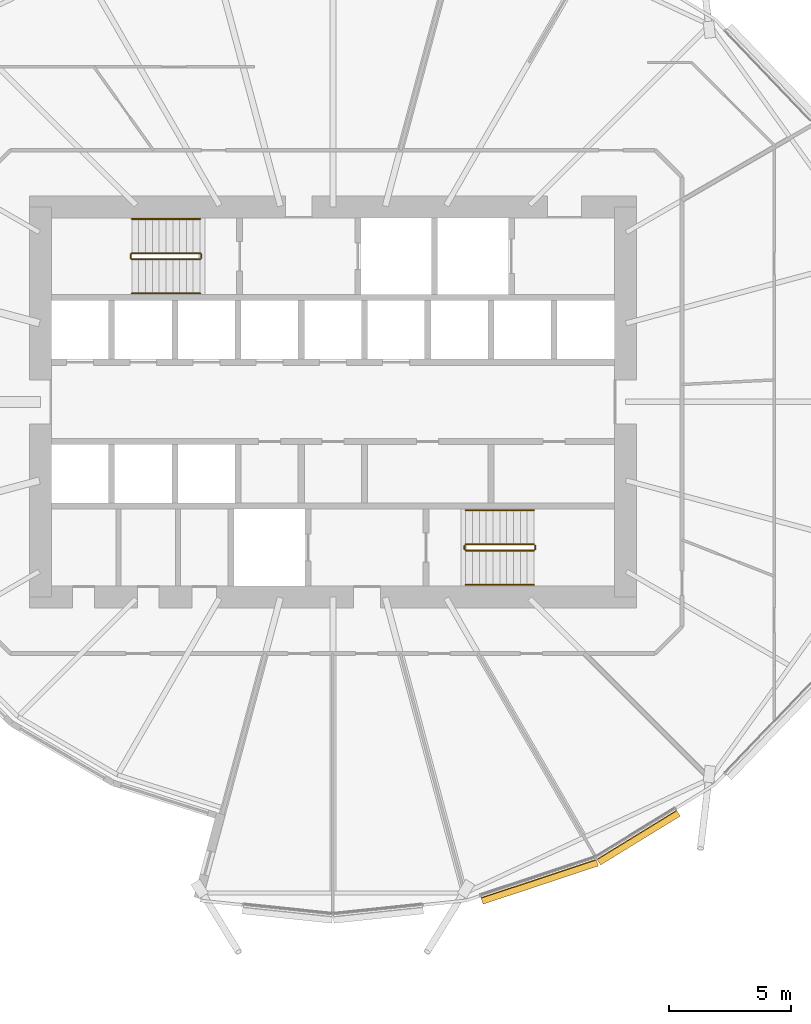
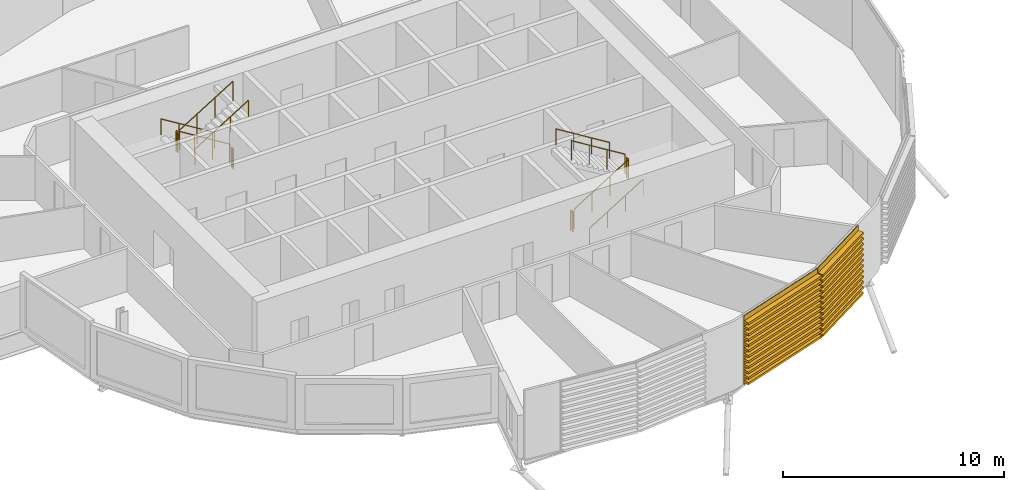
# One storey, part 34 of 38: 12 railings, 2 coverings.
"""IFC4 building model written with IfcOpenShell, lengths in metres."""

from ifc_helpers import new_model, si_unit, direction, frame, origin, origin_2d, place, context, subcontext, project, spatial, polyline, circle, outline, extrude, material, material_profile, profile_set, type_object, element, save


model = new_model("IFC4")

# Units and contexts
model_context = context("Model", 3, precision=1e-05, world=origin(), true_north=direction((0.0, 1.0)))
body_context = subcontext(model_context, "Body", "Model", "MODEL_VIEW")
ifc_project = project(units=[si_unit("LENGTHUNIT", "METRE"), si_unit("AREAUNIT", "SQUARE_METRE"), si_unit("VOLUMEUNIT", "CUBIC_METRE"), si_unit("PLANEANGLEUNIT", "RADIAN"), si_unit("MASSUNIT", "GRAM", prefix="KILO")], contexts=[model_context])

# Site, building, storey
site_placement = place(None, origin())
site = spatial("IfcSite", under=ifc_project, at=site_placement, CompositionType="ELEMENT")
building_placement = place(site_placement, origin())
building = spatial("IfcBuilding", under=site, at=building_placement, Name="Rimbun Link Towers", CompositionType="ELEMENT")
storey_placement = place(building_placement, frame((0.0, 0.0, 71.800048828125)))
storey = spatial("IfcBuildingStorey", under=building, at=storey_placement, Name="L17", CompositionType="ELEMENT", Elevation=71.800048828125)

# Railings
ifc_material_1 = material(Name="Stainless steel grade 316", Category="steel")
railing_type_1 = type_object("IfcRailingType", Name="Stair guard", PredefinedType="GUARDRAIL", material=ifc_material_1)
railing_1_placement = place(storey_placement, frame((-37.199951171875, 6.10009765625, 0.172607421875)))
element("IfcRailing", 1, at=railing_1_placement, inside=storey, type_object=railing_type_1, Name="L17 ST1 stair guard 1", PredefinedType="GUARDRAIL", context=body_context, shape_type="SweptSolid", body=[
    extrude(circle(Radius=0.02392578125, at=origin_2d()), frame((0.0, 0.0, 1.076171875), z_axis=(-0.851089632645, 0.0, 0.525020415988), x_axis=(0.0, -1.0, 0.0)), (0.0, 0.0, 1.0), 3.2900390625),
    extrude(circle(Radius=0.02099609375, at=origin_2d()), origin(), (0.0, 0.0, 1.0), 1.052001953125),
    extrude(circle(Radius=0.02099609375, at=origin_2d()), frame((-0.933349609375, 0.0, 0.57568359375)), (0.0, 0.0, 1.0), 1.052001953125),
    extrude(circle(Radius=0.02099609375, at=origin_2d()), frame((-1.86669921875, 0.0, 1.151611328125)), (0.0, 0.0, 1.0), 1.052001953125),
    extrude(circle(Radius=0.02099609375, at=origin_2d()), frame((-2.800048828125, 0.0, 1.727294921875)), (0.0, 0.0, 1.0), 1.052001953125),
])
railing_2_placement = place(storey_placement, frame((-40.050048828125, 6.050048828125, 1.89990234375)))
element("IfcRailing", 2, at=railing_2_placement, inside=storey, type_object=railing_type_1, Name="L17 ST1 stair guard 2", PredefinedType="GUARDRAIL", context=body_context, shape_type="SweptSolid", body=[
    extrude(circle(Radius=0.02392578125, at=origin_2d()), frame((0.0, 0.0, 1.076171875), z_axis=(0.0, -1.0, 0.0), x_axis=(1.0, 0.0, 0.0)), (0.0, 0.0, 1.0), 0.150146484375),
    extrude(circle(Radius=0.02099609375, at=origin_2d()), origin(), (0.0, 0.0, 1.0), 1.052001953125),
    extrude(circle(Radius=0.02099609375, at=origin_2d()), frame((0.0, -0.150146484375, 0.0)), (0.0, 0.0, 1.0), 1.052001953125),
])
railing_3_placement = place(storey_placement, frame((-40.0, 5.85009765625, 2.07275390625)))
element("IfcRailing", 3, at=railing_3_placement, inside=storey, type_object=railing_type_1, Name="L17 ST1 stair guard 3", PredefinedType="GUARDRAIL", context=body_context, shape_type="SweptSolid", body=[
    extrude(circle(Radius=0.02392578125, at=origin_2d()), frame((0.0, 0.0, 1.076171875), z_axis=(0.851089632645, 0.0, 0.525020415988), x_axis=(0.0, 1.0, 0.0)), (0.0, 0.0, 1.0), 3.2900390625),
    extrude(circle(Radius=0.02099609375, at=origin_2d()), origin(), (0.0, 0.0, 1.0), 1.052001953125),
    extrude(circle(Radius=0.02099609375, at=origin_2d()), frame((0.933349609375, 0.0, 0.57568359375)), (0.0, 0.0, 1.0), 1.052001953125),
    extrude(circle(Radius=0.02099609375, at=origin_2d()), frame((1.86669921875, 0.0, 1.151611328125)), (0.0, 0.0, 1.0), 1.052001953125),
    extrude(circle(Radius=0.02099609375, at=origin_2d()), frame((2.800048828125, 0.0, 1.727294921875)), (0.0, 0.0, 1.0), 1.052001953125),
])
railing_4_placement = place(storey_placement, frame((-37.14990234375, 6.050048828125, 0.0)))
element("IfcRailing", 4, at=railing_4_placement, inside=storey, type_object=railing_type_1, Name="L17 ST1 stair guard 4", PredefinedType="GUARDRAIL", context=body_context, shape_type="SweptSolid", body=[
    extrude(circle(Radius=0.02392578125, at=origin_2d()), frame((0.0, 0.0, 1.076171875), z_axis=(0.0, -1.0, 0.0), x_axis=(1.0, 0.0, 0.0)), (0.0, 0.0, 1.0), 0.150146484375),
    extrude(circle(Radius=0.02099609375, at=origin_2d()), origin(), (0.0, 0.0, 1.0), 1.052001953125),
    extrude(circle(Radius=0.02099609375, at=origin_2d()), frame((0.0, -0.150146484375, 0.0)), (0.0, 0.0, 1.0), 1.052001953125),
])
railing_5_placement = place(storey_placement, frame((-26.300048828125, -6.10009765625, 0.172607421875)))
element("IfcRailing", 5, at=railing_5_placement, inside=storey, type_object=railing_type_1, Name="L17 ST2 stair guard 1", PredefinedType="GUARDRAIL", context=body_context, shape_type="SweptSolid", body=[
    extrude(circle(Radius=0.02392578125, at=origin_2d()), frame((0.0, 0.0, 1.076171875), z_axis=(0.851089632645, 0.0, 0.525020415988), x_axis=(0.0, 1.0, 0.0)), (0.0, 0.0, 1.0), 3.2900390625),
    extrude(circle(Radius=0.02099609375, at=origin_2d()), origin(), (0.0, 0.0, 1.0), 1.052001953125),
    extrude(circle(Radius=0.02099609375, at=origin_2d()), frame((0.933349609375, 0.0, 0.57568359375)), (0.0, 0.0, 1.0), 1.052001953125),
    extrude(circle(Radius=0.02099609375, at=origin_2d()), frame((1.86669921875, 0.0, 1.151611328125)), (0.0, 0.0, 1.0), 1.052001953125),
    extrude(circle(Radius=0.02099609375, at=origin_2d()), frame((2.800048828125, 0.0, 1.727294921875)), (0.0, 0.0, 1.0), 1.052001953125),
])
railing_6_placement = place(storey_placement, frame((-23.449951171875, -6.050048828125, 1.89990234375)))
element("IfcRailing", 6, at=railing_6_placement, inside=storey, type_object=railing_type_1, Name="L17 ST2 stair guard 2", PredefinedType="GUARDRAIL", context=body_context, shape_type="SweptSolid", body=[
    extrude(circle(Radius=0.02392578125, at=origin_2d()), frame((0.0, 0.0, 1.076171875), z_axis=(0.0, 1.0, 0.0), x_axis=(-1.0, 0.0, 0.0)), (0.0, 0.0, 1.0), 0.150146484375),
    extrude(circle(Radius=0.02099609375, at=origin_2d()), origin(), (0.0, 0.0, 1.0), 1.052001953125),
    extrude(circle(Radius=0.02099609375, at=origin_2d()), frame((0.0, 0.150146484375, 0.0)), (0.0, 0.0, 1.0), 1.052001953125),
])
railing_7_placement = place(storey_placement, frame((-23.5, -5.85009765625, 2.07275390625)))
element("IfcRailing", 7, at=railing_7_placement, inside=storey, type_object=railing_type_1, Name="L17 ST2 stair guard 3", PredefinedType="GUARDRAIL", context=body_context, shape_type="SweptSolid", body=[
    extrude(circle(Radius=0.02392578125, at=origin_2d()), frame((0.0, 0.0, 1.076171875), z_axis=(-0.851089632645, 0.0, 0.525020415988), x_axis=(0.0, -1.0, 0.0)), (0.0, 0.0, 1.0), 3.2900390625),
    extrude(circle(Radius=0.02099609375, at=origin_2d()), origin(), (0.0, 0.0, 1.0), 1.052001953125),
    extrude(circle(Radius=0.02099609375, at=origin_2d()), frame((-0.933349609375, 0.0, 0.57568359375)), (0.0, 0.0, 1.0), 1.052001953125),
    extrude(circle(Radius=0.02099609375, at=origin_2d()), frame((-1.86669921875, 0.0, 1.151611328125)), (0.0, 0.0, 1.0), 1.052001953125),
    extrude(circle(Radius=0.02099609375, at=origin_2d()), frame((-2.800048828125, 0.0, 1.727294921875)), (0.0, 0.0, 1.0), 1.052001953125),
])
railing_8_placement = place(storey_placement, frame((-26.35009765625, -6.050048828125, 0.0)))
element("IfcRailing", 8, at=railing_8_placement, inside=storey, type_object=railing_type_1, Name="L17 ST2 stair guard 4", PredefinedType="GUARDRAIL", context=body_context, shape_type="SweptSolid", body=[
    extrude(circle(Radius=0.02392578125, at=origin_2d()), frame((0.0, 0.0, 1.076171875), z_axis=(0.0, 1.0, 0.0), x_axis=(-1.0, 0.0, 0.0)), (0.0, 0.0, 1.0), 0.150146484375),
    extrude(circle(Radius=0.02099609375, at=origin_2d()), origin(), (0.0, 0.0, 1.0), 1.052001953125),
    extrude(circle(Radius=0.02099609375, at=origin_2d()), frame((0.0, 0.150146484375, 0.0)), (0.0, 0.0, 1.0), 1.052001953125),
])
ifc_material_2 = material(Name="Stainless steel grade 316", Category="steel")
railing_type_2 = type_object("IfcRailingType", Name="Stair handrail", PredefinedType="HANDRAIL", material=ifc_material_2)
railing_9_placement = place(storey_placement, frame((-37.199951171875, 7.5, 0.172607421875)))
element("IfcRailing", 9, at=railing_9_placement, inside=storey, type_object=railing_type_2, Name="L17 ST1 stair handrail 1", PredefinedType="HANDRAIL", context=body_context, shape_type="SweptSolid", body=[
    extrude(circle(Radius=0.02392578125, at=origin_2d()), frame((0.0, 0.0, 0.8759765625), z_axis=(-0.851089632645, 0.0, 0.525020415988), x_axis=(0.0, -1.0, 0.0)), (0.0, 0.0, 1.0), 3.2900390625),
    extrude(circle(Radius=0.02099609375, at=origin_2d()), origin(), (0.0, 0.0, 1.0), 0.851806640625),
    extrude(circle(Radius=0.02099609375, at=origin_2d()), frame((-0.933349609375, 0.0, 0.57568359375)), (0.0, 0.0, 1.0), 0.851806640625),
    extrude(circle(Radius=0.02099609375, at=origin_2d()), frame((-1.86669921875, 0.0, 1.151611328125)), (0.0, 0.0, 1.0), 0.851806640625),
    extrude(circle(Radius=0.02099609375, at=origin_2d()), frame((-2.800048828125, 0.0, 1.727294921875)), (0.0, 0.0, 1.0), 0.851806640625),
])
for number, where, name in (
    (10, (-40.0, 4.449951171875, 2.07275390625), "L17 ST1 stair handrail 2"),
    (11, (-26.300048828125, -7.5, 0.172607421875), "L17 ST2 stair handrail 1"),
):
    element("IfcRailing", number, at=place(storey_placement, frame(where)), inside=storey, type_object=railing_type_2, Name=name, PredefinedType="HANDRAIL", context=body_context, shape_type="SweptSolid", body=[
        extrude(circle(Radius=0.02392578125, at=origin_2d()), frame((0.0, 0.0, 0.8759765625), z_axis=(0.851089632645, 0.0, 0.525020415988), x_axis=(0.0, 1.0, 0.0)), (0.0, 0.0, 1.0), 3.2900390625),
        extrude(circle(Radius=0.02099609375, at=origin_2d()), origin(), (0.0, 0.0, 1.0), 0.851806640625),
        extrude(circle(Radius=0.02099609375, at=origin_2d()), frame((0.933349609375, 0.0, 0.57568359375)), (0.0, 0.0, 1.0), 0.851806640625),
        extrude(circle(Radius=0.02099609375, at=origin_2d()), frame((1.86669921875, 0.0, 1.151611328125)), (0.0, 0.0, 1.0), 0.851806640625),
        extrude(circle(Radius=0.02099609375, at=origin_2d()), frame((2.800048828125, 0.0, 1.727294921875)), (0.0, 0.0, 1.0), 0.851806640625),
    ])
railing_10_placement = place(storey_placement, frame((-23.5, -4.449951171875, 2.07275390625)))
element("IfcRailing", 12, at=railing_10_placement, inside=storey, type_object=railing_type_2, Name="L17 ST2 stair handrail 2", PredefinedType="HANDRAIL", context=body_context, shape_type="SweptSolid", body=[
    extrude(circle(Radius=0.02392578125, at=origin_2d()), frame((0.0, 0.0, 0.8759765625), z_axis=(-0.851089632645, 0.0, 0.525020415988), x_axis=(0.0, -1.0, 0.0)), (0.0, 0.0, 1.0), 3.2900390625),
    extrude(circle(Radius=0.02099609375, at=origin_2d()), origin(), (0.0, 0.0, 1.0), 0.851806640625),
    extrude(circle(Radius=0.02099609375, at=origin_2d()), frame((-0.933349609375, 0.0, 0.57568359375)), (0.0, 0.0, 1.0), 0.851806640625),
    extrude(circle(Radius=0.02099609375, at=origin_2d()), frame((-1.86669921875, 0.0, 1.151611328125)), (0.0, 0.0, 1.0), 0.851806640625),
    extrude(circle(Radius=0.02099609375, at=origin_2d()), frame((-2.800048828125, 0.0, 1.727294921875)), (0.0, 0.0, 1.0), 0.851806640625),
])

# Coverings
ifc_material_3 = material(Name="Terracotta", Category="masonry")
ifc_material_profile = material_profile(ifc_material_3, outline(polyline([(0.123046875, 0.0), (0.1630859375, 0.0), (0.1630859375, 0.10009765625), (0.423095703125, 0.10009765625), (0.423095703125, 0.219970703125), (0.1630859375, 0.219970703125), (0.1630859375, 0.39990234375), (0.423095703125, 0.39990234375), (0.423095703125, 0.52001953125), (0.1630859375, 0.52001953125), (0.1630859375, 0.699951171875), (0.423095703125, 0.699951171875), (0.423095703125, 0.820068359375), (0.1630859375, 0.820068359375), (0.1630859375, 1.0), (0.423095703125, 1.0), (0.423095703125, 1.1201171875), (0.1630859375, 1.1201171875), (0.1630859375, 1.300048828125), (0.423095703125, 1.300048828125), (0.423095703125, 1.419921875), (0.1630859375, 1.419921875), (0.1630859375, 1.60009765625), (0.423095703125, 1.60009765625), (0.423095703125, 1.719970703125), (0.1630859375, 1.719970703125), (0.1630859375, 1.89990234375), (0.423095703125, 1.89990234375), (0.423095703125, 2.02001953125), (0.1630859375, 2.02001953125), (0.1630859375, 2.199951171875), (0.423095703125, 2.199951171875), (0.423095703125, 2.320068359375), (0.1630859375, 2.320068359375), (0.1630859375, 2.5), (0.423095703125, 2.5), (0.423095703125, 2.6201171875), (0.1630859375, 2.6201171875), (0.1630859375, 2.800048828125), (0.423095703125, 2.800048828125), (0.423095703125, 2.919921875), (0.1630859375, 2.919921875), (0.1630859375, 3.10009765625), (0.423095703125, 3.10009765625), (0.423095703125, 3.219970703125), (0.1630859375, 3.219970703125), (0.1630859375, 3.39990234375), (0.423095703125, 3.39990234375), (0.423095703125, 3.52001953125), (0.1630859375, 3.52001953125), (0.1630859375, 3.800048828125), (0.123046875, 3.800048828125), (0.123046875, 0.0)])), Name="BAGUETTE 120X300")
ifc_profile_set = profile_set([ifc_material_profile], Name="Terracotta")
covering_type = type_object("IfcCoveringType", Name="TERRACOTTA BAGUETTE 120X300 H3800", PredefinedType="CLADDING", material=ifc_profile_set)
covering_1_placement = place(storey_placement, frame((-20.985107421875, -18.6455078125, 0.0), z_axis=(-0.949230755565, -0.314580629871, 0.0), x_axis=(0.314580629871, -0.949230755565, 0.0)))
element("IfcCovering", 13, at=covering_1_placement, inside=storey, type_object=covering_type, Name="TERRACOTTA BAGUETTE", PredefinedType="CLADDING", context=body_context, shape_type="SweptSolid", body=[
    extrude(outline(polyline([(0.123046875, 0.0), (0.1630859375, 0.0), (0.1630859375, 0.10009765625), (0.423095703125, 0.10009765625), (0.423095703125, 0.219970703125), (0.1630859375, 0.219970703125), (0.1630859375, 0.39990234375), (0.423095703125, 0.39990234375), (0.423095703125, 0.52001953125), (0.1630859375, 0.52001953125), (0.1630859375, 0.699951171875), (0.423095703125, 0.699951171875), (0.423095703125, 0.820068359375), (0.1630859375, 0.820068359375), (0.1630859375, 1.0), (0.423095703125, 1.0), (0.423095703125, 1.1201171875), (0.1630859375, 1.1201171875), (0.1630859375, 1.300048828125), (0.423095703125, 1.300048828125), (0.423095703125, 1.419921875), (0.1630859375, 1.419921875), (0.1630859375, 1.60009765625), (0.423095703125, 1.60009765625), (0.423095703125, 1.719970703125), (0.1630859375, 1.719970703125), (0.1630859375, 1.89990234375), (0.423095703125, 1.89990234375), (0.423095703125, 2.02001953125), (0.1630859375, 2.02001953125), (0.1630859375, 2.199951171875), (0.423095703125, 2.199951171875), (0.423095703125, 2.320068359375), (0.1630859375, 2.320068359375), (0.1630859375, 2.5), (0.423095703125, 2.5), (0.423095703125, 2.6201171875), (0.1630859375, 2.6201171875), (0.1630859375, 2.800048828125), (0.423095703125, 2.800048828125), (0.423095703125, 2.919921875), (0.1630859375, 2.919921875), (0.1630859375, 3.10009765625), (0.423095703125, 3.10009765625), (0.423095703125, 3.219970703125), (0.1630859375, 3.219970703125), (0.1630859375, 3.39990234375), (0.423095703125, 3.39990234375), (0.423095703125, 3.52001953125), (0.1630859375, 3.52001953125), (0.1630859375, 3.800048828125), (0.123046875, 3.800048828125), (0.123046875, 0.0)])), origin(), (0.0, 0.0, 1.0), 4.981689453125),
])
covering_2_placement = place(storey_placement, frame((-17.721435546875, -16.641845703125, 0.0), z_axis=(-0.852211619155, -0.523197244046, 0.0), x_axis=(0.523197244046, -0.852211619155, 0.0)))
element("IfcCovering", 14, at=covering_2_placement, inside=storey, type_object=covering_type, Name="TERRACOTTA BAGUETTE", PredefinedType="CLADDING", context=body_context, shape_type="SweptSolid", body=[
    extrude(outline(polyline([(0.123046875, 0.0), (0.1630859375, 0.0), (0.1630859375, 0.10009765625), (0.423095703125, 0.10009765625), (0.423095703125, 0.219970703125), (0.1630859375, 0.219970703125), (0.1630859375, 0.39990234375), (0.423095703125, 0.39990234375), (0.423095703125, 0.52001953125), (0.1630859375, 0.52001953125), (0.1630859375, 0.699951171875), (0.423095703125, 0.699951171875), (0.423095703125, 0.820068359375), (0.1630859375, 0.820068359375), (0.1630859375, 1.0), (0.423095703125, 1.0), (0.423095703125, 1.1201171875), (0.1630859375, 1.1201171875), (0.1630859375, 1.300048828125), (0.423095703125, 1.300048828125), (0.423095703125, 1.419921875), (0.1630859375, 1.419921875), (0.1630859375, 1.60009765625), (0.423095703125, 1.60009765625), (0.423095703125, 1.719970703125), (0.1630859375, 1.719970703125), (0.1630859375, 1.89990234375), (0.423095703125, 1.89990234375), (0.423095703125, 2.02001953125), (0.1630859375, 2.02001953125), (0.1630859375, 2.199951171875), (0.423095703125, 2.199951171875), (0.423095703125, 2.320068359375), (0.1630859375, 2.320068359375), (0.1630859375, 2.5), (0.423095703125, 2.5), (0.423095703125, 2.6201171875), (0.1630859375, 2.6201171875), (0.1630859375, 2.800048828125), (0.423095703125, 2.800048828125), (0.423095703125, 2.919921875), (0.1630859375, 2.919921875), (0.1630859375, 3.10009765625), (0.423095703125, 3.10009765625), (0.423095703125, 3.219970703125), (0.1630859375, 3.219970703125), (0.1630859375, 3.39990234375), (0.423095703125, 3.39990234375), (0.423095703125, 3.52001953125), (0.1630859375, 3.52001953125), (0.1630859375, 3.800048828125), (0.123046875, 3.800048828125), (0.123046875, 0.0)])), origin(), (0.0, 0.0, 1.0), 3.82958984375),
])

save(model, "model.ifc")
